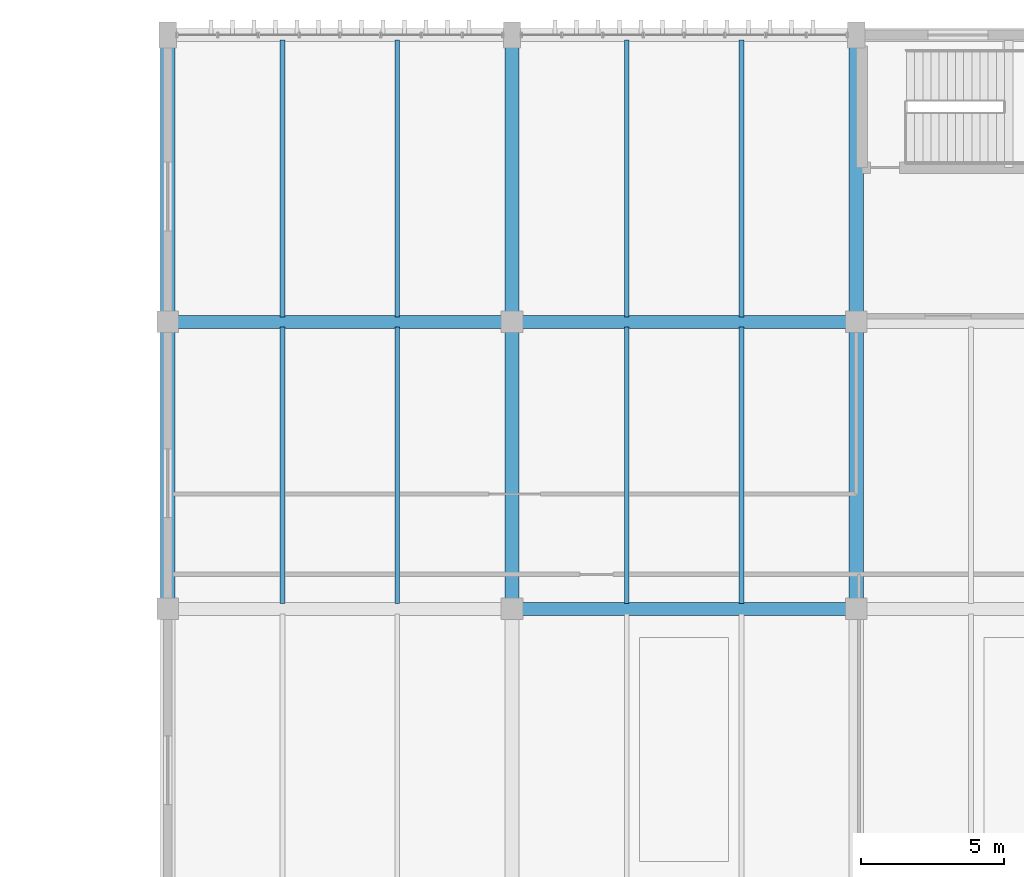
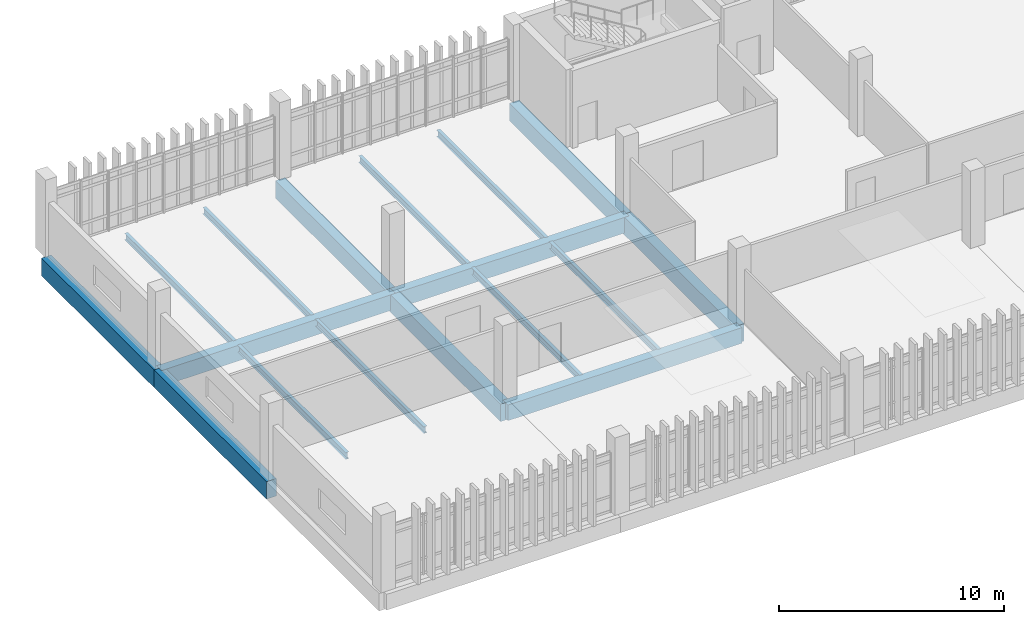
# One storey, part 72 of 161: 17 beams.
"""IFC4 building model written with IfcOpenShell, lengths in metres."""

import ifcopenshell
import ifcopenshell.guid

model = None  # the IFC model being written
_history = None  # IfcOwnerHistory: only IFC2X3 demands one
_inside = {}  # id of a spatial element -> (the spatial element, [elements in it])
_under = {}  # id of a project, library or spatial element -> (it, [spatial elements below it])
_declared = {}  # id of a project -> (the project, [libraries it declares])
_typed = {}  # id of a type object -> (the type object, [elements of that type])
_made_of = {}  # id of a material, layer set ... -> (it, [elements and type objects made of it])


def new_model(schema):
    """Start an empty IFC model of exactly this schema.

    Asked for "IFC4X3", IfcOpenShell would pick the latest addendum, in which some entities
    have other attributes; the version numbers below select the first issue.
    IFC2X3 requires an IfcOwnerHistory on every rooted entity: one is made here for all.
    """
    global model, _history
    if schema == "IFC4X3":
        model = ifcopenshell.file(schema_version=(4, 3, 0, 0))
    else:
        model = ifcopenshell.file(schema=schema)
    _inside.clear()
    _under.clear()
    _declared.clear()
    _typed.clear()
    _made_of.clear()
    _history = None
    if model.schema == "IFC2X3":
        org = make("IfcOrganization", Name="unknown")
        user = make(
            "IfcPersonAndOrganization",
            ThePerson=make("IfcPerson", FamilyName="unknown"),
            TheOrganization=org,
        )
        app = make(
            "IfcApplication",
            ApplicationDeveloper=org,
            Version="unknown",
            ApplicationFullName="unknown",
            ApplicationIdentifier="unknown",
        )
        _history = make(
            "IfcOwnerHistory",
            OwningUser=user,
            OwningApplication=app,
            ChangeAction="ADDED",
            CreationDate=0,
        )
    return model


def make(cls, **values):
    """One entity of the class cls with the attributes given. An attribute that is None is left unset."""
    return model.create_entity(
        cls, **{name: value for name, value in values.items() if value is not None}
    )


def rooted(cls, **values):
    """An entity with a GlobalId (a new one), such as an element, a storey or a relation."""
    return make(cls, GlobalId=ifcopenshell.guid.new(), OwnerHistory=_history, **values)


def si_unit(unit_type, name, prefix=None):
    """IfcSIUnit, for example si_unit("LENGTHUNIT", "METRE", prefix="MILLI")."""
    return make("IfcSIUnit", UnitType=unit_type, Prefix=prefix, Name=name)


def assignment(units):
    """IfcUnitAssignment: the units of a project."""
    return None if units is None else make("IfcUnitAssignment", Units=units)


def point(xyz):
    """IfcCartesianPoint."""
    return None if xyz is None else make("IfcCartesianPoint", Coordinates=xyz)


def direction(xyz):
    """IfcDirection."""
    return None if xyz is None else make("IfcDirection", DirectionRatios=xyz)


def frame(location, z_axis=None, x_axis=None):
    """IfcAxis2Placement3D, a coordinate frame: its origin and axes. An axis left out is left unset."""
    return make(
        "IfcAxis2Placement3D",
        Location=point(location),
        Axis=direction(z_axis),
        RefDirection=direction(x_axis),
    )


def frame_2d(location, x_axis=None):
    """IfcAxis2Placement2D, a coordinate frame in the plane: its origin and x axis."""
    return make(
        "IfcAxis2Placement2D", Location=point(location), RefDirection=direction(x_axis)
    )


def origin():
    """The frame at (0, 0, 0) with its axes left unset."""
    return frame((0.0, 0.0, 0.0))


def origin_2d():
    """The frame at (0, 0) in the plane with its x axis left unset."""
    return frame_2d((0.0, 0.0))


def place(relative_to, where):
    """IfcLocalPlacement: puts the frame where relative to a parent placement (None: the world)."""
    return make(
        "IfcLocalPlacement", PlacementRelTo=relative_to, RelativePlacement=where
    )


def context(
    kind, dimensions, precision=None, world=None, true_north=None, identifier=None
):
    """IfcGeometricRepresentationContext, for example the 3D "Model" context."""
    return make(
        "IfcGeometricRepresentationContext",
        ContextIdentifier=identifier,
        ContextType=kind,
        CoordinateSpaceDimension=dimensions,
        Precision=precision,
        WorldCoordinateSystem=world,
        TrueNorth=true_north,
    )


def subcontext(parent, identifier, kind, view, scale=None):
    """IfcGeometricRepresentationSubContext, for example "Body" below "Model"."""
    return make(
        "IfcGeometricRepresentationSubContext",
        ContextIdentifier=identifier,
        ContextType=kind,
        ParentContext=parent,
        TargetScale=scale,
        TargetView=view,
    )


def project(units=None, contexts=None):
    """IfcProject with its units and contexts."""
    return rooted(
        "IfcProject",
        Name="project",
        RepresentationContexts=contexts,
        UnitsInContext=assignment(units),
    )


def spatial(cls, under=None, at=None, **own):
    """A site, building, storey or space (cls), placed at a placement, below another one or the project."""
    s = rooted(cls, ObjectPlacement=at, **own)
    if under is not None:
        _under.setdefault(under.id(), (under, []))[1].append(s)
    return s


def profile(cls, at=None, kind="AREA", **sizes):
    """A parametric profile (cls). Its sizes go by their IFC names, for example OverallWidth=200.0."""
    return make(cls, ProfileType=kind, Position=at, **sizes)


def rectangle(**sizes):
    """IfcRectangleProfileDef."""
    return profile("IfcRectangleProfileDef", **sizes)


def i_section(**sizes):
    """IfcIShapeProfileDef."""
    return profile("IfcIShapeProfileDef", **sizes)


def extrude(swept, where, along, depth):
    """IfcExtrudedAreaSolid: the profile swept, set in the frame where, extruded along a direction by depth."""
    return make(
        "IfcExtrudedAreaSolid",
        SweptArea=swept,
        Position=where,
        ExtrudedDirection=direction(along),
        Depth=depth,
    )


def shape(context_of_items, identifier, shape_type, items):
    """IfcShapeRepresentation: the items that make up one representation, for example the "Body"."""
    return make(
        "IfcShapeRepresentation",
        ContextOfItems=context_of_items,
        RepresentationIdentifier=identifier,
        RepresentationType=shape_type,
        Items=items,
    )


def material(Name=None, Category=None):
    """IfcMaterial."""
    return make("IfcMaterial", Name=Name, Category=Category)


def material_profile(
    of_material, cross_section, Name=None, Category=None, Priority=None
):
    """IfcMaterialProfile: a cross section and its material."""
    return make(
        "IfcMaterialProfile",
        Name=Name,
        Material=of_material,
        Profile=cross_section,
        Priority=Priority,
        Category=Category,
    )


def profile_set(profiles, Name=None, composite=None):
    """IfcMaterialProfileSet."""
    return make(
        "IfcMaterialProfileSet",
        Name=Name,
        MaterialProfiles=profiles,
        CompositeProfile=composite,
    )


def made_of(thing, what):
    """Note that an element or type object is made of a material, layer set ...; save() writes the relation."""
    if what is not None:
        _made_of.setdefault(what.id(), (what, []))[1].append(thing)
    return thing


def type_object(cls, material=None, **own):
    """A type object (cls), such as IfcWallType, which elements share."""
    return made_of(rooted(cls, **own), material)


def element(
    cls,
    number,
    at=None,
    inside=None,
    cuts=None,
    type_object=None,
    material=None,
    context=None,
    identifier="Body",
    shape_type=None,
    held_by="IfcProductDefinitionShape",
    body=None,
    shapes=None,
    **own,
):
    """One element of the class cls, such as IfcWall. Its Tag is "e" and its number.

    at: its placement. inside: the storey or other place that contains it. cuts: it is an
    opening in that element (IfcRelVoidsElement). A single representation is given by context,
    identifier, shape_type and body (its items); several are given by shapes. held_by: the class
    of the entity that holds the representations. save() writes the other relations.
    """
    e = rooted(cls, Tag="e%d" % number, ObjectPlacement=at, **own)
    if body is not None:
        shapes = [shape(context, identifier, shape_type, body)]
    if shapes is not None:
        e.Representation = make(held_by, Representations=shapes)
    if inside is not None:
        _inside.setdefault(inside.id(), (inside, []))[1].append(e)
    if cuts is not None:
        rooted(
            "IfcRelVoidsElement", RelatingBuildingElement=cuts, RelatedOpeningElement=e
        )
    if type_object is not None:
        _typed.setdefault(type_object.id(), (type_object, []))[1].append(e)
    return made_of(e, material)


def aggregate(whole, parts):
    """IfcRelAggregates: a whole, such as a stair, and the parts it consists of."""
    return rooted("IfcRelAggregates", RelatingObject=whole, RelatedObjects=parts)


def save(model, path):
    """Write the relations noted so far, then the file.

    IfcRelAggregates (storeys below a building ...), IfcRelContainedInSpatialStructure (elements
    in a storey), IfcRelDefinesByType, IfcRelAssociatesMaterial and IfcRelDeclares: one each for
    every whole, place, type object, material and project.
    """
    for whole, parts in _under.values():
        aggregate(whole, parts)
    for where, things in _inside.values():
        rooted(
            "IfcRelContainedInSpatialStructure",
            RelatedElements=things,
            RelatingStructure=where,
        )
    for kind, things in _typed.values():
        rooted("IfcRelDefinesByType", RelatedObjects=things, RelatingType=kind)
    for what, things in _made_of.values():
        rooted("IfcRelAssociatesMaterial", RelatedObjects=things, RelatingMaterial=what)
    for by, libraries in _declared.values():
        rooted("IfcRelDeclares", RelatingContext=by, RelatedDefinitions=libraries)
    model.write(path)


model = new_model("IFC4")

# Units and contexts
model_context = context("Model", 3, precision=1e-05, world=origin(), true_north=direction((0.0, 1.0)))
body_context = subcontext(model_context, "Body", "Model", "MODEL_VIEW")
ifc_project = project(units=[si_unit("LENGTHUNIT", "METRE"), si_unit("AREAUNIT", "SQUARE_METRE"), si_unit("VOLUMEUNIT", "CUBIC_METRE"), si_unit("PLANEANGLEUNIT", "RADIAN"), si_unit("MASSUNIT", "GRAM", prefix="KILO")], contexts=[model_context])

# Site, building, storey
site_placement = place(None, origin())
site = spatial("IfcSite", under=ifc_project, at=site_placement, CompositionType="ELEMENT")
building_placement = place(site_placement, origin())
building = spatial("IfcBuilding", under=site, at=building_placement, Name="Mersad Railyard Sports Hall", CompositionType="ELEMENT")
storey_placement = place(building_placement, frame((0.0, 0.0, 4.800048828125)))
storey = spatial("IfcBuildingStorey", under=building, at=storey_placement, Name="L01", CompositionType="ELEMENT", Elevation=4.800048828125)

# Beams
ifc_material_1 = material(Name="Concrete C40/50", Category="concrete")
ifc_material_profile_1 = material_profile(ifc_material_1, rectangle(XDim=0.449951171875, YDim=0.85009765625, at=origin_2d()), Name="RC 450x850")
ifc_profile_set_1 = profile_set([ifc_material_profile_1], Name="Concrete C40/50")
beam_type_1 = type_object("IfcBeamType", Name="STR-BM-B02", PredefinedType="BEAM", material=ifc_profile_set_1)
for number, where, z_axis, x_axis, name in (
    (1, (55.0, 95.0, -0.72509765625), (1.0, 0.0, 0.0), (0.0, 1.0, 0.0), "Beam B02-0933"),
    (2, (43.0, 105.0, -0.72509765625), (1.0, 0.0, 0.0), (0.0, 1.0, 0.0), "Beam B02-0940"),
    (3, (55.0, 105.0, -0.72509765625), (1.0, 0.0, 0.0), (0.0, 1.0, 0.0), "Beam B02-0941"),
):
    element("IfcBeam", number, at=place(storey_placement, frame(where, z_axis=z_axis, x_axis=x_axis)), inside=storey, type_object=beam_type_1, Name=name, PredefinedType="BEAM", context=body_context, shape_type="SweptSolid", body=[
        extrude(rectangle(XDim=0.449951171875, YDim=0.85009765625, at=origin_2d()), origin(), (0.0, 0.0, 1.0), 12.0),
    ])
ifc_material_2 = material(Name="Concrete C50/60", Category="concrete")
ifc_material_profile_2 = material_profile(ifc_material_2, rectangle(XDim=0.5, YDim=0.949951171875, at=origin_2d()), Name="RC 500x950")
ifc_profile_set_2 = profile_set([ifc_material_profile_2], Name="Concrete C50/60")
beam_type_2 = type_object("IfcBeamType", Name="STR-BM-B03", PredefinedType="BEAM", material=ifc_profile_set_2)
for number, where, z_axis, x_axis, name in (
    (4, (43.0, 95.0, -0.775146484375), (0.0, 1.0, 0.0), (-1.0, 0.0, 0.0), "Beam B03-0957"),
    (5, (43.0, 105.0, -0.775146484375), (0.0, 1.0, 0.0), (-1.0, 0.0, 0.0), "Beam B03-0958"),
    (6, (55.0, 95.0, -0.775146484375), (0.0, 1.0, 0.0), (-1.0, 0.0, 0.0), "Beam B03-0960"),
    (7, (55.0, 105.0, -0.775146484375), (0.0, 1.0, 0.0), (-1.0, 0.0, 0.0), "Beam B03-0961"),
    (8, (67.0, 95.0, -0.775146484375), (0.0, 1.0, 0.0), (-1.0, 0.0, 0.0), "Beam B03-0963"),
    (9, (67.0, 105.0, -0.775146484375), (0.0, 1.0, 0.0), (-1.0, 0.0, 0.0), "Beam B03-0964"),
):
    element("IfcBeam", number, at=place(storey_placement, frame(where, z_axis=z_axis, x_axis=x_axis)), inside=storey, type_object=beam_type_2, Name=name, PredefinedType="BEAM", context=body_context, shape_type="SweptSolid", body=[
        extrude(rectangle(XDim=0.5, YDim=0.949951171875, at=origin_2d()), origin(), (0.0, 0.0, 1.0), 10.0),
    ])
ifc_material_3 = material(Name="Steel S355", Category="steel")
ifc_material_profile_3 = material_profile(ifc_material_3, i_section(OverallWidth=0.169921875, OverallDepth=0.360107421875, WebThickness=0.008056640625, FlangeThickness=0.0126953125, at=origin_2d()), Name="IPE 360")
ifc_profile_set_3 = profile_set([ifc_material_profile_3], Name="Steel S355")
beam_type_3 = type_object("IfcBeamType", Name="STR-BM-J03", PredefinedType="JOIST", material=ifc_profile_set_3)
for number, where, z_axis, x_axis, name in (
    (10, (47.0, 95.179931640625, -0.47998046875), (0.0, 1.0, 0.0), (-1.0, 0.0, 0.0), "Beam J03-1008"),
    (11, (51.0, 95.179931640625, -0.47998046875), (0.0, 1.0, 0.0), (-1.0, 0.0, 0.0), "Beam J03-1009"),
    (12, (47.0, 105.179931640625, -0.47998046875), (0.0, 1.0, 0.0), (-1.0, 0.0, 0.0), "Beam J03-1010"),
    (13, (51.0, 105.179931640625, -0.47998046875), (0.0, 1.0, 0.0), (-1.0, 0.0, 0.0), "Beam J03-1011"),
    (14, (59.0, 95.179931640625, -0.47998046875), (0.0, 1.0, 0.0), (-1.0, 0.0, 0.0), "Beam J03-1014"),
    (15, (63.0, 95.179931640625, -0.47998046875), (0.0, 1.0, 0.0), (-1.0, 0.0, 0.0), "Beam J03-1015"),
    (16, (59.0, 105.179931640625, -0.47998046875), (0.0, 1.0, 0.0), (-1.0, 0.0, 0.0), "Beam J03-1016"),
    (17, (63.0, 105.179931640625, -0.47998046875), (0.0, 1.0, 0.0), (-1.0, 0.0, 0.0), "Beam J03-1017"),
):
    element("IfcBeam", number, at=place(storey_placement, frame(where, z_axis=z_axis, x_axis=x_axis)), inside=storey, type_object=beam_type_3, Name=name, PredefinedType="JOIST", context=body_context, shape_type="SweptSolid", body=[
        extrude(i_section(OverallWidth=0.169921875, OverallDepth=0.360107421875, WebThickness=0.008056640625, FlangeThickness=0.0126953125, at=origin_2d()), origin(), (0.0, 0.0, 1.0), 9.64013671875),
    ])

save(model, "model.ifc")
